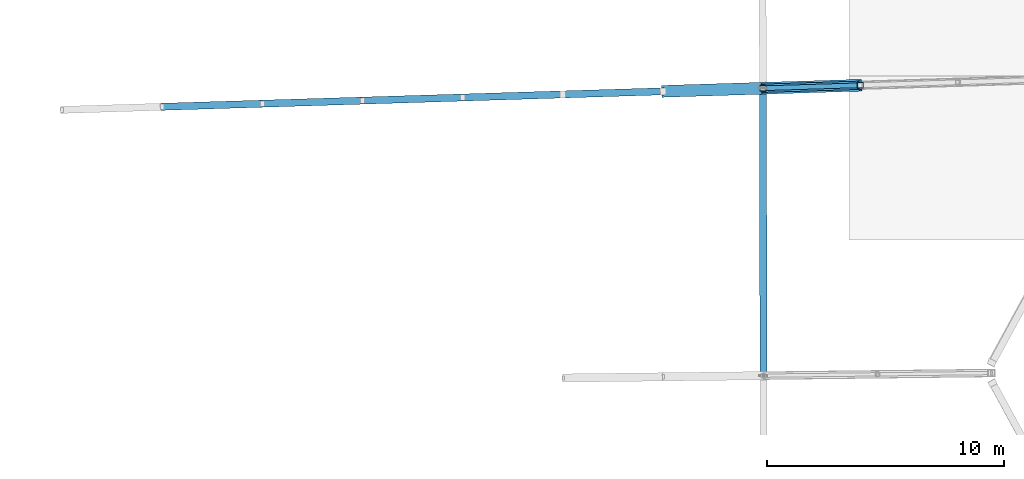
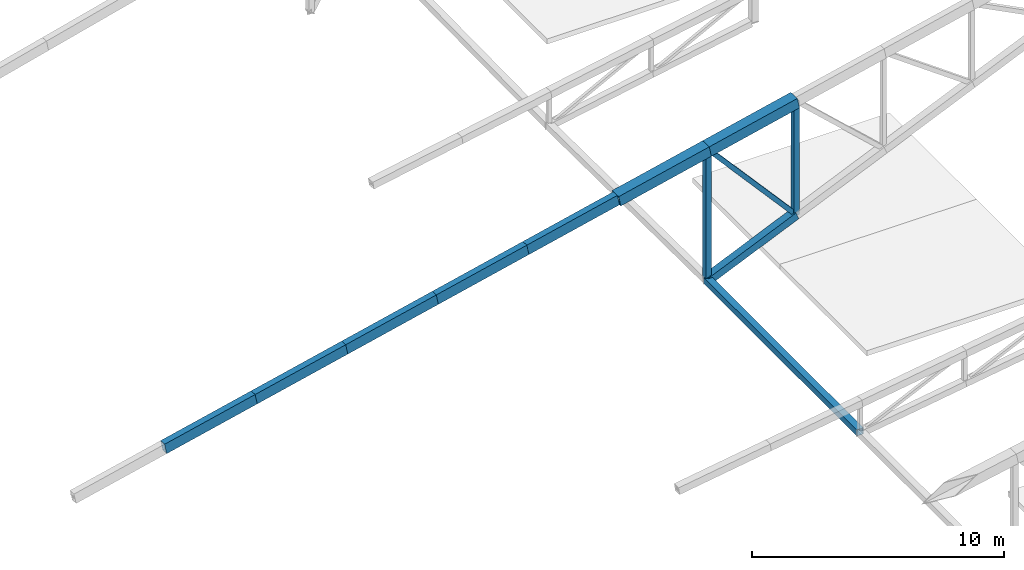
# One storey, part 57 of 188: 12 members.
"""IFC4 building model written with IfcOpenShell, lengths in metres."""

from ifc_helpers import new_model, si_unit, direction, frame, origin, origin_2d, place, context, subcontext, project, spatial, hollow_rectangle, extrude, material, material_profile, profile_set, type_object, element, save


model = new_model("IFC4")

# Units and contexts
model_context = context("Model", 3, precision=1e-05, world=origin(), true_north=direction((0.0, 1.0)))
body_context = subcontext(model_context, "Body", "Model", "MODEL_VIEW")
ifc_project = project(units=[si_unit("LENGTHUNIT", "METRE"), si_unit("AREAUNIT", "SQUARE_METRE"), si_unit("VOLUMEUNIT", "CUBIC_METRE"), si_unit("PLANEANGLEUNIT", "RADIAN"), si_unit("MASSUNIT", "GRAM", prefix="KILO")], contexts=[model_context])

# Site, building, storey
site_placement = place(None, origin())
site = spatial("IfcSite", under=ifc_project, at=site_placement, CompositionType="ELEMENT")
building_placement = place(site_placement, origin())
building = spatial("IfcBuilding", under=site, at=building_placement, Name="Meseta Stadium", CompositionType="ELEMENT")
storey_placement = place(building_placement, frame((0.0, 0.0, 30.0)))
storey = spatial("IfcBuildingStorey", under=building, at=storey_placement, Name="ROOF", CompositionType="ELEMENT", Elevation=30.0)

# Members
ifc_material_1 = material(Name="Steel S355", Category="steel")
ifc_material_profile_1 = material_profile(ifc_material_1, hollow_rectangle(XDim=0.300048828125, YDim=0.5, WallThickness=0.01611328125, at=origin_2d()), Name="RHS 500x300x16")
ifc_profile_set_1 = profile_set([ifc_material_profile_1], Name="Steel S355")
member_type_1 = type_object("IfcMemberType", Name="RHS 500x300x16 top chord", PredefinedType="CHORD", material=ifc_profile_set_1)
for number, where, z_axis, x_axis, name in (
    (1, (59.657470703125, 17.462646484375, 2.06982421875), (0.979762958597, 0.030210208084, 0.197868361012), (-0.030819553754, 0.999524964724, 0.0), "ROOF TRUSS RT-06 top chord"),
    (2, (63.877685546875, 17.5927734375, 2.922119140625), (0.979751969075, 0.03020986923, 0.197922820549), (-0.030819553754, 0.999524964724, 0.0), "ROOF TRUSS RT-06 top chord"),
    (3, (68.097900390625, 17.722900390625, 3.774658203125), (0.979762958597, 0.030210208084, 0.197868361012), (-0.030819553754, 0.999524964724, 0.0), "ROOF TRUSS RT-06 top chord"),
):
    element("IfcMember", number, at=place(storey_placement, frame(where, z_axis=z_axis, x_axis=x_axis)), inside=storey, type_object=member_type_1, Name=name, PredefinedType="CHORD", context=body_context, shape_type="SweptSolid", body=[
        extrude(hollow_rectangle(XDim=0.300048828125, YDim=0.5, WallThickness=0.01611328125, at=origin_2d()), origin(), (0.0, 0.0, 1.0), 4.307373046875),
    ])
member_1_placement = place(storey_placement, frame((72.318115234375, 17.85302734375, 4.626953125), z_axis=(0.979748017505, 0.03026817711, 0.197933472787), x_axis=(-0.030879106142, 0.999523126698, 0.0)))
element("IfcMember", 4, at=member_1_placement, inside=storey, type_object=member_type_1, Name="ROOF TRUSS RT-06 top chord", PredefinedType="CHORD", context=body_context, shape_type="SweptSolid", body=[
    extrude(hollow_rectangle(XDim=0.300048828125, YDim=0.5, WallThickness=0.01611328125, at=origin_2d()), origin(), (0.0, 0.0, 1.0), 4.30712890625),
])
member_2_placement = place(storey_placement, frame((76.5380859375, 17.9833984375, 5.4794921875), z_axis=(0.979762958597, 0.030210208084, 0.197868361012), x_axis=(-0.030819553754, 0.999524964724, 0.0)))
element("IfcMember", 5, at=member_2_placement, inside=storey, type_object=member_type_1, Name="ROOF TRUSS RT-06 top chord", PredefinedType="CHORD", context=body_context, shape_type="SweptSolid", body=[
    extrude(hollow_rectangle(XDim=0.300048828125, YDim=0.5, WallThickness=0.01611328125, at=origin_2d()), origin(), (0.0, 0.0, 1.0), 4.307373046875),
])
ifc_material_2 = material(Name="Steel S355", Category="steel")
ifc_material_profile_2 = material_profile(ifc_material_2, hollow_rectangle(XDim=0.199951171875, YDim=0.199951171875, WallThickness=0.008056640625, at=origin_2d()), Name="SHS 200x200x8")
ifc_profile_set_2 = profile_set([ifc_material_profile_2], Name="Steel S355")
member_type_2 = type_object("IfcMemberType", Name="SHS 200x200x8 diagonal", PredefinedType="BRACE", material=ifc_profile_set_2)
member_3_placement = place(storey_placement, frame((84.978515625, 18.24365234375, 7.184326171875), z_axis=(0.660045261255, 0.020332031716, -0.750950638578), x_axis=(-0.030789391844, 0.999525894287, 0.0)))
element("IfcMember", 6, at=member_3_placement, inside=storey, type_object=member_type_2, Name="ROOF TRUSS RT-06 diagonal", PredefinedType="BRACE", context=body_context, shape_type="SweptSolid", body=[
    extrude(hollow_rectangle(XDim=0.199951171875, YDim=0.199951171875, WallThickness=0.008056640625, at=origin_2d()), origin(), (0.0, 0.0, 1.0), 6.219970703125),
])
ifc_material_3 = material(Name="Steel S355", Category="steel")
ifc_material_profile_3 = material_profile(ifc_material_3, hollow_rectangle(XDim=0.25, YDim=0.25, WallThickness=0.010009765625, at=origin_2d()), Name="SHS 250x250x10")
ifc_profile_set_3 = profile_set([ifc_material_profile_3], Name="Steel S355")
member_type_3 = type_object("IfcMemberType", Name="SHS 250x250x10 post", PredefinedType="POST", material=ifc_profile_set_3)
member_4_placement = place(storey_placement, frame((84.978515625, 18.24365234375, 0.85107421875), z_axis=(0.0, 0.0, 1.0), x_axis=(1.0, 0.0, 0.0)))
element("IfcMember", 7, at=member_4_placement, inside=storey, type_object=member_type_3, Name="ROOF TRUSS RT-06 post", PredefinedType="POST", context=body_context, shape_type="SweptSolid", body=[
    extrude(hollow_rectangle(XDim=0.25, YDim=0.25, WallThickness=0.010009765625, at=origin_2d()), origin(), (0.0, 0.0, 1.0), 6.333251953125),
])
member_5_placement = place(storey_placement, frame((89.083984375, 18.3701171875, 2.513427734375), z_axis=(0.0, 0.0, 1.0), x_axis=(1.0, 0.0, 0.0)))
element("IfcMember", 8, at=member_5_placement, inside=storey, type_object=member_type_3, Name="ROOF TRUSS RT-06 post", PredefinedType="POST", context=body_context, shape_type="SweptSolid", body=[
    extrude(hollow_rectangle(XDim=0.25, YDim=0.25, WallThickness=0.010009765625, at=origin_2d()), origin(), (0.0, 0.0, 1.0), 5.5),
])
ifc_material_4 = material(Name="Steel S355", Category="steel")
ifc_material_profile_4 = material_profile(ifc_material_4, hollow_rectangle(XDim=0.300048828125, YDim=0.300048828125, WallThickness=0.010009765625, at=origin_2d()), Name="SHS 300x300x10")
ifc_profile_set_4 = profile_set([ifc_material_profile_4], Name="Steel S355")
member_type_4 = type_object("IfcMemberType", Name="SHS 300x300x10 pivot strut", PredefinedType="STRUT", material=ifc_profile_set_4)
member_6_placement = place(storey_placement, frame((84.9970703125, 6.13720703125, 0.800048828125), z_axis=(-0.001532613449, 0.999989943704, 0.004214686985), x_axis=(-0.999998825526, -0.001532627062, 0.0)))
element("IfcMember", 9, at=member_6_placement, inside=storey, type_object=member_type_4, Name="ROOF PIVOT STRUT RT-05/06", PredefinedType="STRUT", context=body_context, shape_type="SweptSolid", body=[
    extrude(hollow_rectangle(XDim=0.300048828125, YDim=0.300048828125, WallThickness=0.010009765625, at=origin_2d()), origin(), (0.0, 0.0, 1.0), 12.1064453125),
])
ifc_material_5 = material(Name="Steel S355", Category="steel")
ifc_material_profile_5 = material_profile(ifc_material_5, hollow_rectangle(XDim=0.35009765625, YDim=0.35009765625, WallThickness=0.010009765625, at=origin_2d()), Name="SHS 350x350x10")
ifc_profile_set_5 = profile_set([ifc_material_profile_5], Name="Steel S355")
member_type_5 = type_object("IfcMemberType", Name="SHS 350x350x10 bottom chord", PredefinedType="CHORD", material=ifc_profile_set_5)
member_7_placement = place(storey_placement, frame((84.978515625, 18.24365234375, 0.85107421875), z_axis=(0.92652083913, 0.028540544402, 0.375159395435), x_axis=(-0.030789391844, 0.999525894287, 0.0)))
element("IfcMember", 10, at=member_7_placement, inside=storey, type_object=member_type_5, Name="ROOF TRUSS RT-06 bottom chord", PredefinedType="CHORD", context=body_context, shape_type="SweptSolid", body=[
    extrude(hollow_rectangle(XDim=0.35009765625, YDim=0.35009765625, WallThickness=0.010009765625, at=origin_2d()), origin(), (0.0, 0.0, 1.0), 4.43115234375),
])
ifc_material_6 = material(Name="Steel S355", Category="steel")
ifc_material_profile_6 = material_profile(ifc_material_6, hollow_rectangle(XDim=0.5, YDim=0.5, WallThickness=0.01611328125, at=origin_2d()), Name="SHS 500x500x16")
ifc_profile_set_6 = profile_set([ifc_material_profile_6], Name="Steel S355")
member_type_6 = type_object("IfcMemberType", Name="SHS 500x500x16 top chord", PredefinedType="CHORD", material=ifc_profile_set_6)
member_8_placement = place(storey_placement, frame((80.75830078125, 18.113525390625, 6.331787109375), z_axis=(0.979751969075, 0.03020986923, 0.197922820549), x_axis=(-0.030819553754, 0.999524964724, 0.0)))
element("IfcMember", 11, at=member_8_placement, inside=storey, type_object=member_type_6, Name="ROOF TRUSS RT-06 top chord", PredefinedType="CHORD", context=body_context, shape_type="SweptSolid", body=[
    extrude(hollow_rectangle(XDim=0.5, YDim=0.5, WallThickness=0.01611328125, at=origin_2d()), origin(), (0.0, 0.0, 1.0), 4.307373046875),
])
member_9_placement = place(storey_placement, frame((84.978515625, 18.24365234375, 7.184326171875), z_axis=(0.979764748905, 0.030180669596, 0.197864003763), x_axis=(-0.030789391844, 0.999525894287, 0.0)))
element("IfcMember", 12, at=member_9_placement, inside=storey, type_object=member_type_6, Name="ROOF TRUSS RT-06 top chord", PredefinedType="CHORD", context=body_context, shape_type="SweptSolid", body=[
    extrude(hollow_rectangle(XDim=0.5, YDim=0.5, WallThickness=0.01611328125, at=origin_2d()), origin(), (0.0, 0.0, 1.0), 4.190185546875),
])

save(model, "model.ifc")
